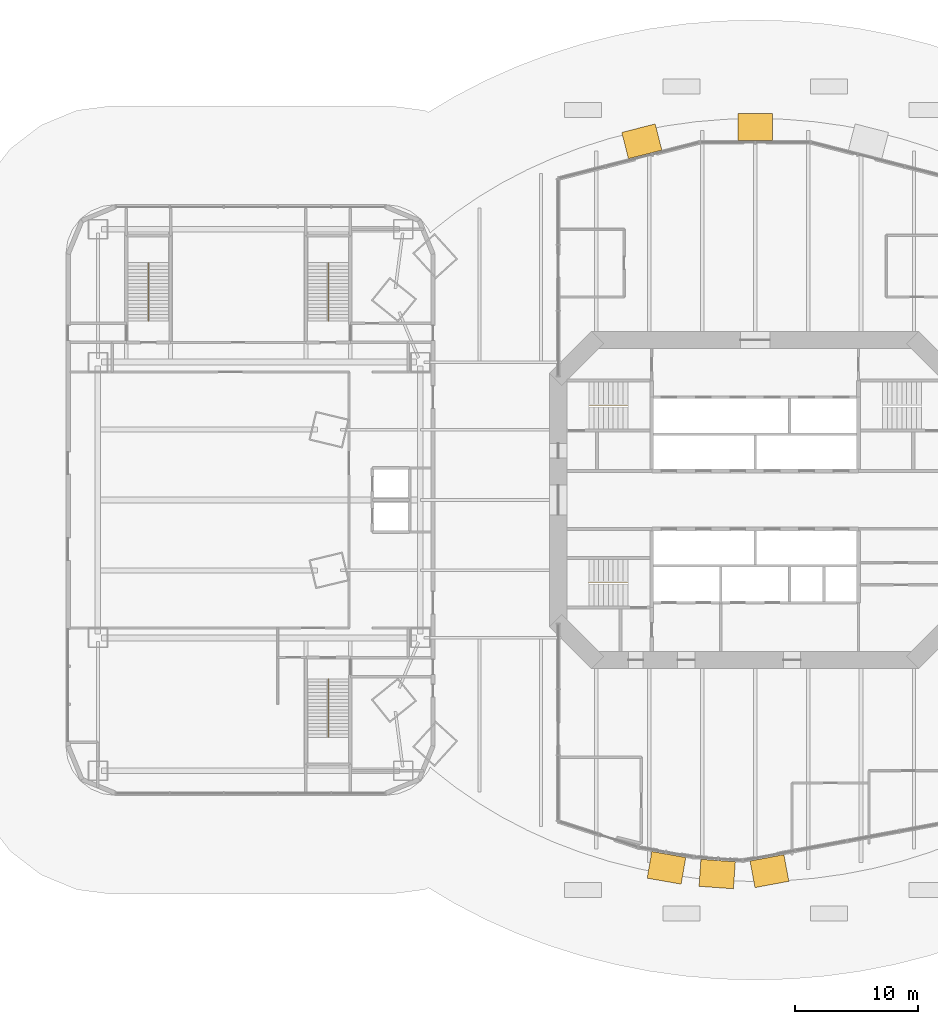
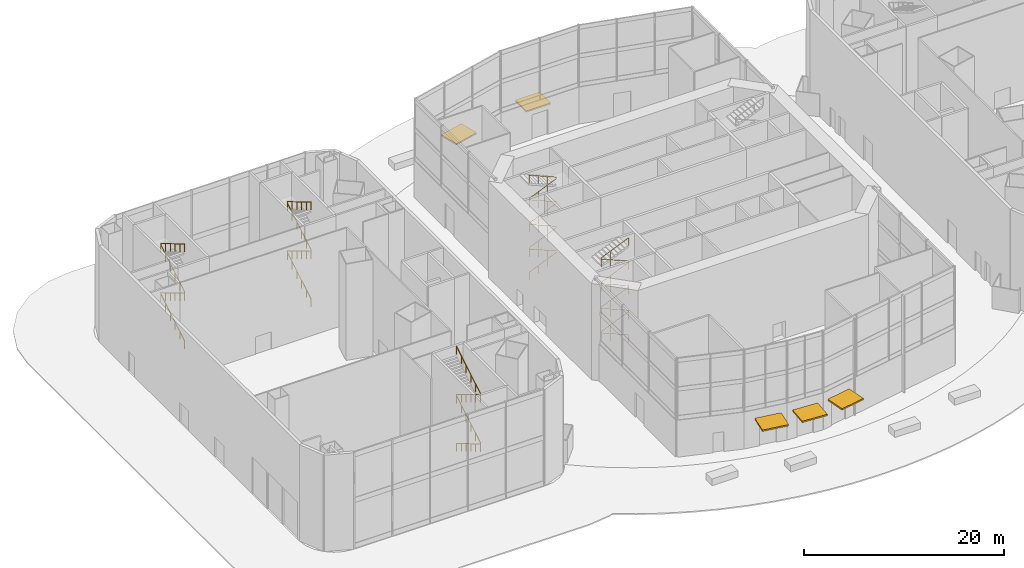
# One storey, part 21 of 23: 5 railings, 5 shading devices.
"""IFC4 building model written with IfcOpenShell, lengths in metres."""

from ifc_helpers import new_model, si_unit, direction, frame, origin, origin_2d, place, context, subcontext, project, spatial, rectangle, circle, extrude, material, layer, layer_set, type_object, element, save


model = new_model("IFC4")

# Units and contexts
model_context = context("Model", 3, precision=1e-05, world=origin(), true_north=direction((0.0, 1.0)))
body_context = subcontext(model_context, "Body", "Model", "MODEL_VIEW")
ifc_project = project(units=[si_unit("LENGTHUNIT", "METRE"), si_unit("AREAUNIT", "SQUARE_METRE"), si_unit("VOLUMEUNIT", "CUBIC_METRE"), si_unit("PLANEANGLEUNIT", "RADIAN"), si_unit("MASSUNIT", "GRAM", prefix="KILO")], contexts=[model_context])

# Site, building, storey
site_placement = place(None, origin())
site = spatial("IfcSite", under=ifc_project, at=site_placement, CompositionType="ELEMENT")
building_placement = place(site_placement, origin())
building = spatial("IfcBuilding", under=site, at=building_placement, Name="Marenthal Gate Tower", CompositionType="ELEMENT")
storey_placement = place(building_placement, origin())
storey = spatial("IfcBuildingStorey", under=building, at=storey_placement, Name="L00", CompositionType="ELEMENT", Elevation=0.0)

# Shading devices
ifc_material_1 = material(Name="Steel and glass canopy", Category="steel")
ifc_layer = layer(ifc_material_1, 0.179931640625)
ifc_layer_set = layer_set([ifc_layer], Name="Entrance canopy")
shading_device_type = type_object("IfcShadingDeviceType", Name="Entrance canopy", PredefinedType="USERDEFINED", material=ifc_layer_set)
for number, where, z_axis, x_axis, name in (
    (1, (-9.20849609375, 29.14599609375, 3.2998046875), (0.0, 0.0, 1.0), (0.968768898542, 0.247965362941, 0.0), "Entrance canopy XD-N-HALL-1"),
    (2, (0.0, 30.31103515625, 3.2998046875), (0.0, 0.0, 1.0), (1.0, 0.0, 0.0), "Entrance canopy XD-N-HALL-2"),
    (3, (-7.204345703125, -29.888671875, 3.2998046875), (0.0, 0.0, 1.0), (0.985101701709, -0.171972780668, 0.0), "Entrance canopy XD-S-HALL-1"),
    (4, (-3.0849609375, -30.3935546875, 3.2998046875), (0.0, 0.0, 1.0), (0.997495161638, -0.070734733401, 0.0), "Entrance canopy XD-S-HALL-2"),
    (5, (1.161865234375, -30.156494140625, 3.2998046875), (0.0, 0.0, 1.0), (0.983046432537, 0.183356787375, 0.0), "Entrance canopy XD-S-HALL-3"),
):
    element("IfcShadingDevice", number, at=place(storey_placement, frame(where, z_axis=z_axis, x_axis=x_axis)), inside=storey, type_object=shading_device_type, Name=name, ObjectType="ENTRANCE CANOPY", PredefinedType="USERDEFINED", context=body_context, shape_type="SweptSolid", body=[
        extrude(rectangle(XDim=2.800048828125, YDim=2.199951171875, at=origin_2d()), origin(), (0.0, 0.0, 1.0), 0.179931640625),
    ])

# Railings
ifc_material_2 = material(Name="Stainless steel", Category="steel")
railing_type = type_object("IfcRailingType", Name="Stair handrail", PredefinedType="HANDRAIL", material=ifc_material_2)
railing_1_placement = place(storey_placement, frame((-13.5, 7.675048828125, 0.166748046875)))
element("IfcRailing", 6, at=railing_1_placement, inside=storey, type_object=railing_type, Name="Handrail ST1", PredefinedType="HANDRAIL", context=body_context, shape_type="SweptSolid", body=[
    extrude(circle(Radius=0.0224609375, at=origin_2d()), frame((0.0, 0.0, 0.927490234375), z_axis=(0.920893345203, 0.0, 0.389814631281), x_axis=(0.0, 1.0, 0.0)), (0.0, 0.0, 1.0), 3.420166015625),
    extrude(circle(Radius=0.0224609375, at=origin_2d()), frame((3.149658203125, 0.0, 2.2607421875), z_axis=(0.0, 0.0, 1.0), x_axis=(1.0, 0.0, 0.0)), (0.0, 0.0, 1.0), 0.166748046875),
    extrude(circle(Radius=0.0224609375, at=origin_2d()), frame((3.149658203125, 0.0, 2.427490234375), z_axis=(-0.920893345203, 0.0, 0.389814631281), x_axis=(0.0, -1.0, 0.0)), (0.0, 0.0, 1.0), 3.420166015625),
    extrude(circle(Radius=0.0224609375, at=origin_2d()), frame((0.0, 0.0, 3.7607421875), z_axis=(0.0, 0.0, 1.0), x_axis=(1.0, 0.0, 0.0)), (0.0, 0.0, 1.0), 0.166748046875),
    extrude(circle(Radius=0.0224609375, at=origin_2d()), frame((0.0, 0.0, 3.927490234375), z_axis=(0.920893345203, 0.0, 0.389814631281), x_axis=(0.0, 1.0, 0.0)), (0.0, 0.0, 1.0), 3.420166015625),
    extrude(circle(Radius=0.0224609375, at=origin_2d()), frame((3.149658203125, 0.0, 5.2607421875), z_axis=(0.0, 0.0, 1.0), x_axis=(1.0, 0.0, 0.0)), (0.0, 0.0, 1.0), 0.166748046875),
    extrude(circle(Radius=0.0224609375, at=origin_2d()), frame((3.149658203125, 0.0, 5.427490234375), z_axis=(-0.920893345203, 0.0, 0.389814631281), x_axis=(0.0, -1.0, 0.0)), (0.0, 0.0, 1.0), 3.420166015625),
    extrude(circle(Radius=0.0224609375, at=origin_2d()), frame((0.0, 0.0, 6.7607421875), z_axis=(0.0, 0.0, 1.0), x_axis=(1.0, 0.0, 0.0)), (0.0, 0.0, 1.0), 0.166748046875),
    extrude(circle(Radius=0.0224609375, at=origin_2d()), frame((0.0, 0.0, 6.927490234375), z_axis=(0.920893345203, 0.0, 0.389814631281), x_axis=(0.0, 1.0, 0.0)), (0.0, 0.0, 1.0), 3.420166015625),
    extrude(circle(Radius=0.0224609375, at=origin_2d()), frame((3.149658203125, 0.0, 8.2607421875), z_axis=(0.0, 0.0, 1.0), x_axis=(1.0, 0.0, 0.0)), (0.0, 0.0, 1.0), 0.166748046875),
    extrude(circle(Radius=0.0224609375, at=origin_2d()), frame((3.149658203125, 0.0, 8.427490234375), z_axis=(-0.920893345203, 0.0, 0.389814631281), x_axis=(0.0, -1.0, 0.0)), (0.0, 0.0, 1.0), 3.420166015625),
    extrude(circle(Radius=0.0224609375, at=origin_2d()), frame((0.0, 0.0, 9.7607421875), z_axis=(0.0, 0.0, 1.0), x_axis=(1.0, 0.0, 0.0)), (0.0, 0.0, 1.0), 0.166748046875),
    extrude(circle(Radius=0.0224609375, at=origin_2d()), frame((0.0, 0.0, 9.927490234375), z_axis=(0.920893345203, 0.0, 0.389814631281), x_axis=(0.0, 1.0, 0.0)), (0.0, 0.0, 1.0), 3.420166015625),
    extrude(circle(Radius=0.0224609375, at=origin_2d()), frame((3.149658203125, 0.0, 11.2607421875), z_axis=(0.0, 0.0, 1.0), x_axis=(1.0, 0.0, 0.0)), (0.0, 0.0, 1.0), 0.166748046875),
    extrude(circle(Radius=0.0224609375, at=origin_2d()), frame((3.149658203125, 0.0, 11.427490234375), z_axis=(-0.920893345203, 0.0, 0.389814631281), x_axis=(0.0, -1.0, 0.0)), (0.0, 0.0, 1.0), 3.420166015625),
    extrude(circle(Radius=0.02001953125, at=origin_2d()), origin(), (0.0, 0.0, 1.0), 0.905029296875),
    extrude(circle(Radius=0.02001953125, at=origin_2d()), frame((1.0498046875, 0.0, 0.4443359375)), (0.0, 0.0, 1.0), 0.905029296875),
    extrude(circle(Radius=0.02001953125, at=origin_2d()), frame((2.099853515625, 0.0, 0.888916015625)), (0.0, 0.0, 1.0), 0.905029296875),
    extrude(circle(Radius=0.02001953125, at=origin_2d()), frame((3.149658203125, 0.0, 1.333251953125)), (0.0, 0.0, 1.0), 0.905029296875),
    extrude(circle(Radius=0.02001953125, at=origin_2d()), frame((3.149658203125, 0.0, 1.5)), (0.0, 0.0, 1.0), 0.905029296875),
    extrude(circle(Radius=0.02001953125, at=origin_2d()), frame((2.099853515625, 0.0, 1.9443359375)), (0.0, 0.0, 1.0), 0.905029296875),
    extrude(circle(Radius=0.02001953125, at=origin_2d()), frame((1.0498046875, 0.0, 2.388916015625)), (0.0, 0.0, 1.0), 0.905029296875),
    extrude(circle(Radius=0.02001953125, at=origin_2d()), frame((0.0, 0.0, 2.833251953125)), (0.0, 0.0, 1.0), 0.905029296875),
    extrude(circle(Radius=0.02001953125, at=origin_2d()), frame((0.0, 0.0, 3.0)), (0.0, 0.0, 1.0), 0.905029296875),
    extrude(circle(Radius=0.02001953125, at=origin_2d()), frame((1.0498046875, 0.0, 3.4443359375)), (0.0, 0.0, 1.0), 0.905029296875),
    extrude(circle(Radius=0.02001953125, at=origin_2d()), frame((2.099853515625, 0.0, 3.888916015625)), (0.0, 0.0, 1.0), 0.905029296875),
    extrude(circle(Radius=0.02001953125, at=origin_2d()), frame((3.149658203125, 0.0, 4.333251953125)), (0.0, 0.0, 1.0), 0.905029296875),
    extrude(circle(Radius=0.02001953125, at=origin_2d()), frame((3.149658203125, 0.0, 4.5)), (0.0, 0.0, 1.0), 0.905029296875),
    extrude(circle(Radius=0.02001953125, at=origin_2d()), frame((2.099853515625, 0.0, 4.9443359375)), (0.0, 0.0, 1.0), 0.905029296875),
    extrude(circle(Radius=0.02001953125, at=origin_2d()), frame((1.0498046875, 0.0, 5.388916015625)), (0.0, 0.0, 1.0), 0.905029296875),
    extrude(circle(Radius=0.02001953125, at=origin_2d()), frame((0.0, 0.0, 5.833251953125)), (0.0, 0.0, 1.0), 0.905029296875),
    extrude(circle(Radius=0.02001953125, at=origin_2d()), frame((0.0, 0.0, 6.0)), (0.0, 0.0, 1.0), 0.905029296875),
    extrude(circle(Radius=0.02001953125, at=origin_2d()), frame((1.0498046875, 0.0, 6.4443359375)), (0.0, 0.0, 1.0), 0.905029296875),
    extrude(circle(Radius=0.02001953125, at=origin_2d()), frame((2.099853515625, 0.0, 6.888916015625)), (0.0, 0.0, 1.0), 0.905029296875),
    extrude(circle(Radius=0.02001953125, at=origin_2d()), frame((3.149658203125, 0.0, 7.333251953125)), (0.0, 0.0, 1.0), 0.905029296875),
    extrude(circle(Radius=0.02001953125, at=origin_2d()), frame((3.149658203125, 0.0, 7.5)), (0.0, 0.0, 1.0), 0.905029296875),
    extrude(circle(Radius=0.02001953125, at=origin_2d()), frame((2.099853515625, 0.0, 7.9443359375)), (0.0, 0.0, 1.0), 0.905029296875),
    extrude(circle(Radius=0.02001953125, at=origin_2d()), frame((1.0498046875, 0.0, 8.388916015625)), (0.0, 0.0, 1.0), 0.905029296875),
    extrude(circle(Radius=0.02001953125, at=origin_2d()), frame((0.0, 0.0, 8.833251953125)), (0.0, 0.0, 1.0), 0.905029296875),
    extrude(circle(Radius=0.02001953125, at=origin_2d()), frame((0.0, 0.0, 9.0)), (0.0, 0.0, 1.0), 0.905029296875),
    extrude(circle(Radius=0.02001953125, at=origin_2d()), frame((1.0498046875, 0.0, 9.4443359375)), (0.0, 0.0, 1.0), 0.905029296875),
    extrude(circle(Radius=0.02001953125, at=origin_2d()), frame((2.099853515625, 0.0, 9.888916015625)), (0.0, 0.0, 1.0), 0.905029296875),
    extrude(circle(Radius=0.02001953125, at=origin_2d()), frame((3.149658203125, 0.0, 10.333251953125)), (0.0, 0.0, 1.0), 0.905029296875),
    extrude(circle(Radius=0.02001953125, at=origin_2d()), frame((3.149658203125, 0.0, 10.5)), (0.0, 0.0, 1.0), 0.905029296875),
    extrude(circle(Radius=0.02001953125, at=origin_2d()), frame((2.099853515625, 0.0, 10.9443359375)), (0.0, 0.0, 1.0), 0.905029296875),
    extrude(circle(Radius=0.02001953125, at=origin_2d()), frame((1.0498046875, 0.0, 11.388916015625)), (0.0, 0.0, 1.0), 0.905029296875),
    extrude(circle(Radius=0.02001953125, at=origin_2d()), frame((0.0, 0.0, 11.833251953125)), (0.0, 0.0, 1.0), 0.905029296875),
])
railing_2_placement = place(storey_placement, frame((-10.35009765625, -6.72509765625, 0.166748046875)))
element("IfcRailing", 7, at=railing_2_placement, inside=storey, type_object=railing_type, Name="Handrail ST2", PredefinedType="HANDRAIL", context=body_context, shape_type="SweptSolid", body=[
    extrude(circle(Radius=0.0224609375, at=origin_2d()), frame((0.0, 0.0, 0.927490234375), z_axis=(-0.920882497319, 0.0, 0.389840257198), x_axis=(0.0, -1.0, 0.0)), (0.0, 0.0, 1.0), 3.419921875),
    extrude(circle(Radius=0.0224609375, at=origin_2d()), frame((-3.1494140625, 0.0, 2.2607421875), z_axis=(0.0, 0.0, 1.0), x_axis=(1.0, 0.0, 0.0)), (0.0, 0.0, 1.0), 0.166748046875),
    extrude(circle(Radius=0.0224609375, at=origin_2d()), frame((-3.1494140625, 0.0, 2.427490234375), z_axis=(0.920882497319, 0.0, 0.389840257198), x_axis=(0.0, 1.0, 0.0)), (0.0, 0.0, 1.0), 3.419921875),
    extrude(circle(Radius=0.0224609375, at=origin_2d()), frame((0.0, 0.0, 3.7607421875), z_axis=(0.0, 0.0, 1.0), x_axis=(1.0, 0.0, 0.0)), (0.0, 0.0, 1.0), 0.166748046875),
    extrude(circle(Radius=0.0224609375, at=origin_2d()), frame((0.0, 0.0, 3.927490234375), z_axis=(-0.920882497319, 0.0, 0.389840257198), x_axis=(0.0, -1.0, 0.0)), (0.0, 0.0, 1.0), 3.419921875),
    extrude(circle(Radius=0.0224609375, at=origin_2d()), frame((-3.1494140625, 0.0, 5.2607421875), z_axis=(0.0, 0.0, 1.0), x_axis=(1.0, 0.0, 0.0)), (0.0, 0.0, 1.0), 0.166748046875),
    extrude(circle(Radius=0.0224609375, at=origin_2d()), frame((-3.1494140625, 0.0, 5.427490234375), z_axis=(0.920882497319, 0.0, 0.389840257198), x_axis=(0.0, 1.0, 0.0)), (0.0, 0.0, 1.0), 3.419921875),
    extrude(circle(Radius=0.0224609375, at=origin_2d()), frame((0.0, 0.0, 6.7607421875), z_axis=(0.0, 0.0, 1.0), x_axis=(1.0, 0.0, 0.0)), (0.0, 0.0, 1.0), 0.166748046875),
    extrude(circle(Radius=0.0224609375, at=origin_2d()), frame((0.0, 0.0, 6.927490234375), z_axis=(-0.920882497319, 0.0, 0.389840257198), x_axis=(0.0, -1.0, 0.0)), (0.0, 0.0, 1.0), 3.419921875),
    extrude(circle(Radius=0.0224609375, at=origin_2d()), frame((-3.1494140625, 0.0, 8.2607421875), z_axis=(0.0, 0.0, 1.0), x_axis=(1.0, 0.0, 0.0)), (0.0, 0.0, 1.0), 0.166748046875),
    extrude(circle(Radius=0.0224609375, at=origin_2d()), frame((-3.1494140625, 0.0, 8.427490234375), z_axis=(0.920882497319, 0.0, 0.389840257198), x_axis=(0.0, 1.0, 0.0)), (0.0, 0.0, 1.0), 3.419921875),
    extrude(circle(Radius=0.0224609375, at=origin_2d()), frame((0.0, 0.0, 9.7607421875), z_axis=(0.0, 0.0, 1.0), x_axis=(1.0, 0.0, 0.0)), (0.0, 0.0, 1.0), 0.166748046875),
    extrude(circle(Radius=0.0224609375, at=origin_2d()), frame((0.0, 0.0, 9.927490234375), z_axis=(-0.920882497319, 0.0, 0.389840257198), x_axis=(0.0, -1.0, 0.0)), (0.0, 0.0, 1.0), 3.419921875),
    extrude(circle(Radius=0.0224609375, at=origin_2d()), frame((-3.1494140625, 0.0, 11.2607421875), z_axis=(0.0, 0.0, 1.0), x_axis=(1.0, 0.0, 0.0)), (0.0, 0.0, 1.0), 0.166748046875),
    extrude(circle(Radius=0.0224609375, at=origin_2d()), frame((-3.1494140625, 0.0, 11.427490234375), z_axis=(0.920882497319, 0.0, 0.389840257198), x_axis=(0.0, 1.0, 0.0)), (0.0, 0.0, 1.0), 3.419921875),
    extrude(circle(Radius=0.02001953125, at=origin_2d()), origin(), (0.0, 0.0, 1.0), 0.905029296875),
    extrude(circle(Radius=0.02001953125, at=origin_2d()), frame((-1.0498046875, 0.0, 0.4443359375)), (0.0, 0.0, 1.0), 0.905029296875),
    extrude(circle(Radius=0.02001953125, at=origin_2d()), frame((-2.099609375, 0.0, 0.888916015625)), (0.0, 0.0, 1.0), 0.905029296875),
    extrude(circle(Radius=0.02001953125, at=origin_2d()), frame((-3.1494140625, 0.0, 1.333251953125)), (0.0, 0.0, 1.0), 0.905029296875),
    extrude(circle(Radius=0.02001953125, at=origin_2d()), frame((-3.1494140625, 0.0, 1.5)), (0.0, 0.0, 1.0), 0.905029296875),
    extrude(circle(Radius=0.02001953125, at=origin_2d()), frame((-2.099609375, 0.0, 1.9443359375)), (0.0, 0.0, 1.0), 0.905029296875),
    extrude(circle(Radius=0.02001953125, at=origin_2d()), frame((-1.0498046875, 0.0, 2.388916015625)), (0.0, 0.0, 1.0), 0.905029296875),
    extrude(circle(Radius=0.02001953125, at=origin_2d()), frame((0.0, 0.0, 2.833251953125)), (0.0, 0.0, 1.0), 0.905029296875),
    extrude(circle(Radius=0.02001953125, at=origin_2d()), frame((0.0, 0.0, 3.0)), (0.0, 0.0, 1.0), 0.905029296875),
    extrude(circle(Radius=0.02001953125, at=origin_2d()), frame((-1.0498046875, 0.0, 3.4443359375)), (0.0, 0.0, 1.0), 0.905029296875),
    extrude(circle(Radius=0.02001953125, at=origin_2d()), frame((-2.099609375, 0.0, 3.888916015625)), (0.0, 0.0, 1.0), 0.905029296875),
    extrude(circle(Radius=0.02001953125, at=origin_2d()), frame((-3.1494140625, 0.0, 4.333251953125)), (0.0, 0.0, 1.0), 0.905029296875),
    extrude(circle(Radius=0.02001953125, at=origin_2d()), frame((-3.1494140625, 0.0, 4.5)), (0.0, 0.0, 1.0), 0.905029296875),
    extrude(circle(Radius=0.02001953125, at=origin_2d()), frame((-2.099609375, 0.0, 4.9443359375)), (0.0, 0.0, 1.0), 0.905029296875),
    extrude(circle(Radius=0.02001953125, at=origin_2d()), frame((-1.0498046875, 0.0, 5.388916015625)), (0.0, 0.0, 1.0), 0.905029296875),
    extrude(circle(Radius=0.02001953125, at=origin_2d()), frame((0.0, 0.0, 5.833251953125)), (0.0, 0.0, 1.0), 0.905029296875),
    extrude(circle(Radius=0.02001953125, at=origin_2d()), frame((0.0, 0.0, 6.0)), (0.0, 0.0, 1.0), 0.905029296875),
    extrude(circle(Radius=0.02001953125, at=origin_2d()), frame((-1.0498046875, 0.0, 6.4443359375)), (0.0, 0.0, 1.0), 0.905029296875),
    extrude(circle(Radius=0.02001953125, at=origin_2d()), frame((-2.099609375, 0.0, 6.888916015625)), (0.0, 0.0, 1.0), 0.905029296875),
    extrude(circle(Radius=0.02001953125, at=origin_2d()), frame((-3.1494140625, 0.0, 7.333251953125)), (0.0, 0.0, 1.0), 0.905029296875),
    extrude(circle(Radius=0.02001953125, at=origin_2d()), frame((-3.1494140625, 0.0, 7.5)), (0.0, 0.0, 1.0), 0.905029296875),
    extrude(circle(Radius=0.02001953125, at=origin_2d()), frame((-2.099609375, 0.0, 7.9443359375)), (0.0, 0.0, 1.0), 0.905029296875),
    extrude(circle(Radius=0.02001953125, at=origin_2d()), frame((-1.0498046875, 0.0, 8.388916015625)), (0.0, 0.0, 1.0), 0.905029296875),
    extrude(circle(Radius=0.02001953125, at=origin_2d()), frame((0.0, 0.0, 8.833251953125)), (0.0, 0.0, 1.0), 0.905029296875),
    extrude(circle(Radius=0.02001953125, at=origin_2d()), frame((0.0, 0.0, 9.0)), (0.0, 0.0, 1.0), 0.905029296875),
    extrude(circle(Radius=0.02001953125, at=origin_2d()), frame((-1.0498046875, 0.0, 9.4443359375)), (0.0, 0.0, 1.0), 0.905029296875),
    extrude(circle(Radius=0.02001953125, at=origin_2d()), frame((-2.099609375, 0.0, 9.888916015625)), (0.0, 0.0, 1.0), 0.905029296875),
    extrude(circle(Radius=0.02001953125, at=origin_2d()), frame((-3.1494140625, 0.0, 10.333251953125)), (0.0, 0.0, 1.0), 0.905029296875),
    extrude(circle(Radius=0.02001953125, at=origin_2d()), frame((-3.1494140625, 0.0, 10.5)), (0.0, 0.0, 1.0), 0.905029296875),
    extrude(circle(Radius=0.02001953125, at=origin_2d()), frame((-2.099609375, 0.0, 10.9443359375)), (0.0, 0.0, 1.0), 0.905029296875),
    extrude(circle(Radius=0.02001953125, at=origin_2d()), frame((-1.0498046875, 0.0, 11.388916015625)), (0.0, 0.0, 1.0), 0.905029296875),
    extrude(circle(Radius=0.02001953125, at=origin_2d()), frame((0.0, 0.0, 11.833251953125)), (0.0, 0.0, 1.0), 0.905029296875),
])
railing_3_placement = place(storey_placement, frame((-34.699951171875, 14.52490234375, 0.166748046875)))
element("IfcRailing", 8, at=railing_3_placement, inside=storey, type_object=railing_type, Name="Handrail W1", PredefinedType="HANDRAIL", context=body_context, shape_type="SweptSolid", body=[
    extrude(circle(Radius=0.0224609375, at=origin_2d()), frame((0.0, 0.0, 0.927490234375), z_axis=(0.0, 0.859299802514, 0.511472237174), x_axis=(-1.0, 0.0, 0.0)), (0.0, 0.0, 1.0), 5.539306640625),
    extrude(circle(Radius=0.0224609375, at=origin_2d()), frame((0.0, 4.760009765625, 3.7607421875), z_axis=(0.0, 0.0, 1.0), x_axis=(1.0, 0.0, 0.0)), (0.0, 0.0, 1.0), 0.166748046875),
    extrude(circle(Radius=0.0224609375, at=origin_2d()), frame((0.0, 4.760009765625, 3.927490234375), z_axis=(0.0, -0.859299802514, 0.511472237174), x_axis=(1.0, 0.0, 0.0)), (0.0, 0.0, 1.0), 5.539306640625),
    extrude(circle(Radius=0.0224609375, at=origin_2d()), frame((0.0, 0.0, 6.7607421875), z_axis=(0.0, 0.0, 1.0), x_axis=(1.0, 0.0, 0.0)), (0.0, 0.0, 1.0), 0.166748046875),
    extrude(circle(Radius=0.0224609375, at=origin_2d()), frame((0.0, 0.0, 6.927490234375), z_axis=(0.0, 0.859299802514, 0.511472237174), x_axis=(-1.0, 0.0, 0.0)), (0.0, 0.0, 1.0), 5.539306640625),
    extrude(circle(Radius=0.0224609375, at=origin_2d()), frame((0.0, 4.760009765625, 9.7607421875), z_axis=(0.0, 0.0, 1.0), x_axis=(1.0, 0.0, 0.0)), (0.0, 0.0, 1.0), 0.166748046875),
    extrude(circle(Radius=0.0224609375, at=origin_2d()), frame((0.0, 4.760009765625, 9.927490234375), z_axis=(0.0, -0.859299802514, 0.511472237174), x_axis=(1.0, 0.0, 0.0)), (0.0, 0.0, 1.0), 5.539306640625),
    extrude(circle(Radius=0.02001953125, at=origin_2d()), origin(), (0.0, 0.0, 1.0), 0.905029296875),
    extrude(circle(Radius=0.02001953125, at=origin_2d()), frame((0.0, 0.951904296875, 0.566650390625)), (0.0, 0.0, 1.0), 0.905029296875),
    extrude(circle(Radius=0.02001953125, at=origin_2d()), frame((0.0, 1.904052734375, 1.13330078125)), (0.0, 0.0, 1.0), 0.905029296875),
    extrude(circle(Radius=0.02001953125, at=origin_2d()), frame((0.0, 2.85595703125, 1.699951171875)), (0.0, 0.0, 1.0), 0.905029296875),
    extrude(circle(Radius=0.02001953125, at=origin_2d()), frame((0.0, 3.80810546875, 2.2666015625)), (0.0, 0.0, 1.0), 0.905029296875),
    extrude(circle(Radius=0.02001953125, at=origin_2d()), frame((0.0, 4.760009765625, 2.833251953125)), (0.0, 0.0, 1.0), 0.905029296875),
    extrude(circle(Radius=0.02001953125, at=origin_2d()), frame((0.0, 4.760009765625, 3.0)), (0.0, 0.0, 1.0), 0.905029296875),
    extrude(circle(Radius=0.02001953125, at=origin_2d()), frame((0.0, 3.80810546875, 3.566650390625)), (0.0, 0.0, 1.0), 0.905029296875),
    extrude(circle(Radius=0.02001953125, at=origin_2d()), frame((0.0, 2.85595703125, 4.13330078125)), (0.0, 0.0, 1.0), 0.905029296875),
    extrude(circle(Radius=0.02001953125, at=origin_2d()), frame((0.0, 1.904052734375, 4.699951171875)), (0.0, 0.0, 1.0), 0.905029296875),
    extrude(circle(Radius=0.02001953125, at=origin_2d()), frame((0.0, 0.951904296875, 5.2666015625)), (0.0, 0.0, 1.0), 0.905029296875),
    extrude(circle(Radius=0.02001953125, at=origin_2d()), frame((0.0, 0.0, 5.833251953125)), (0.0, 0.0, 1.0), 0.905029296875),
    extrude(circle(Radius=0.02001953125, at=origin_2d()), frame((0.0, 0.0, 6.0)), (0.0, 0.0, 1.0), 0.905029296875),
    extrude(circle(Radius=0.02001953125, at=origin_2d()), frame((0.0, 0.951904296875, 6.566650390625)), (0.0, 0.0, 1.0), 0.905029296875),
    extrude(circle(Radius=0.02001953125, at=origin_2d()), frame((0.0, 1.904052734375, 7.13330078125)), (0.0, 0.0, 1.0), 0.905029296875),
    extrude(circle(Radius=0.02001953125, at=origin_2d()), frame((0.0, 2.85595703125, 7.699951171875)), (0.0, 0.0, 1.0), 0.905029296875),
    extrude(circle(Radius=0.02001953125, at=origin_2d()), frame((0.0, 3.80810546875, 8.2666015625)), (0.0, 0.0, 1.0), 0.905029296875),
    extrude(circle(Radius=0.02001953125, at=origin_2d()), frame((0.0, 4.760009765625, 8.833251953125)), (0.0, 0.0, 1.0), 0.905029296875),
    extrude(circle(Radius=0.02001953125, at=origin_2d()), frame((0.0, 4.760009765625, 9.0)), (0.0, 0.0, 1.0), 0.905029296875),
    extrude(circle(Radius=0.02001953125, at=origin_2d()), frame((0.0, 3.80810546875, 9.566650390625)), (0.0, 0.0, 1.0), 0.905029296875),
    extrude(circle(Radius=0.02001953125, at=origin_2d()), frame((0.0, 2.85595703125, 10.13330078125)), (0.0, 0.0, 1.0), 0.905029296875),
    extrude(circle(Radius=0.02001953125, at=origin_2d()), frame((0.0, 1.904052734375, 10.699951171875)), (0.0, 0.0, 1.0), 0.905029296875),
    extrude(circle(Radius=0.02001953125, at=origin_2d()), frame((0.0, 0.951904296875, 11.2666015625)), (0.0, 0.0, 1.0), 0.905029296875),
    extrude(circle(Radius=0.02001953125, at=origin_2d()), frame((0.0, 0.0, 11.833251953125)), (0.0, 0.0, 1.0), 0.905029296875),
])
railing_4_placement = place(storey_placement, frame((-34.699951171875, -14.52490234375, 0.166748046875)))
element("IfcRailing", 9, at=railing_4_placement, inside=storey, type_object=railing_type, Name="Handrail W2", PredefinedType="HANDRAIL", context=body_context, shape_type="SweptSolid", body=[
    extrude(circle(Radius=0.0224609375, at=origin_2d()), frame((0.0, 0.0, 0.927490234375), z_axis=(0.0, -0.859299802514, 0.511472237174), x_axis=(1.0, 0.0, 0.0)), (0.0, 0.0, 1.0), 5.539306640625),
    extrude(circle(Radius=0.0224609375, at=origin_2d()), frame((0.0, -4.760009765625, 3.7607421875), z_axis=(0.0, 0.0, 1.0), x_axis=(1.0, 0.0, 0.0)), (0.0, 0.0, 1.0), 0.166748046875),
    extrude(circle(Radius=0.0224609375, at=origin_2d()), frame((0.0, -4.760009765625, 3.927490234375), z_axis=(0.0, 0.859299802514, 0.511472237174), x_axis=(-1.0, 0.0, 0.0)), (0.0, 0.0, 1.0), 5.539306640625),
    extrude(circle(Radius=0.0224609375, at=origin_2d()), frame((0.0, 0.0, 6.7607421875), z_axis=(0.0, 0.0, 1.0), x_axis=(1.0, 0.0, 0.0)), (0.0, 0.0, 1.0), 0.166748046875),
    extrude(circle(Radius=0.0224609375, at=origin_2d()), frame((0.0, 0.0, 6.927490234375), z_axis=(0.0, -0.859299802514, 0.511472237174), x_axis=(1.0, 0.0, 0.0)), (0.0, 0.0, 1.0), 5.539306640625),
    extrude(circle(Radius=0.0224609375, at=origin_2d()), frame((0.0, -4.760009765625, 9.7607421875), z_axis=(0.0, 0.0, 1.0), x_axis=(1.0, 0.0, 0.0)), (0.0, 0.0, 1.0), 0.166748046875),
    extrude(circle(Radius=0.0224609375, at=origin_2d()), frame((0.0, -4.760009765625, 9.927490234375), z_axis=(0.0, 0.859299802514, 0.511472237174), x_axis=(-1.0, 0.0, 0.0)), (0.0, 0.0, 1.0), 5.539306640625),
    extrude(circle(Radius=0.02001953125, at=origin_2d()), origin(), (0.0, 0.0, 1.0), 0.905029296875),
    extrude(circle(Radius=0.02001953125, at=origin_2d()), frame((0.0, -0.951904296875, 0.566650390625)), (0.0, 0.0, 1.0), 0.905029296875),
    extrude(circle(Radius=0.02001953125, at=origin_2d()), frame((0.0, -1.904052734375, 1.13330078125)), (0.0, 0.0, 1.0), 0.905029296875),
    extrude(circle(Radius=0.02001953125, at=origin_2d()), frame((0.0, -2.85595703125, 1.699951171875)), (0.0, 0.0, 1.0), 0.905029296875),
    extrude(circle(Radius=0.02001953125, at=origin_2d()), frame((0.0, -3.80810546875, 2.2666015625)), (0.0, 0.0, 1.0), 0.905029296875),
    extrude(circle(Radius=0.02001953125, at=origin_2d()), frame((0.0, -4.760009765625, 2.833251953125)), (0.0, 0.0, 1.0), 0.905029296875),
    extrude(circle(Radius=0.02001953125, at=origin_2d()), frame((0.0, -4.760009765625, 3.0)), (0.0, 0.0, 1.0), 0.905029296875),
    extrude(circle(Radius=0.02001953125, at=origin_2d()), frame((0.0, -3.80810546875, 3.566650390625)), (0.0, 0.0, 1.0), 0.905029296875),
    extrude(circle(Radius=0.02001953125, at=origin_2d()), frame((0.0, -2.85595703125, 4.13330078125)), (0.0, 0.0, 1.0), 0.905029296875),
    extrude(circle(Radius=0.02001953125, at=origin_2d()), frame((0.0, -1.904052734375, 4.699951171875)), (0.0, 0.0, 1.0), 0.905029296875),
    extrude(circle(Radius=0.02001953125, at=origin_2d()), frame((0.0, -0.951904296875, 5.2666015625)), (0.0, 0.0, 1.0), 0.905029296875),
    extrude(circle(Radius=0.02001953125, at=origin_2d()), frame((0.0, 0.0, 5.833251953125)), (0.0, 0.0, 1.0), 0.905029296875),
    extrude(circle(Radius=0.02001953125, at=origin_2d()), frame((0.0, 0.0, 6.0)), (0.0, 0.0, 1.0), 0.905029296875),
    extrude(circle(Radius=0.02001953125, at=origin_2d()), frame((0.0, -0.951904296875, 6.566650390625)), (0.0, 0.0, 1.0), 0.905029296875),
    extrude(circle(Radius=0.02001953125, at=origin_2d()), frame((0.0, -1.904052734375, 7.13330078125)), (0.0, 0.0, 1.0), 0.905029296875),
    extrude(circle(Radius=0.02001953125, at=origin_2d()), frame((0.0, -2.85595703125, 7.699951171875)), (0.0, 0.0, 1.0), 0.905029296875),
    extrude(circle(Radius=0.02001953125, at=origin_2d()), frame((0.0, -3.80810546875, 8.2666015625)), (0.0, 0.0, 1.0), 0.905029296875),
    extrude(circle(Radius=0.02001953125, at=origin_2d()), frame((0.0, -4.760009765625, 8.833251953125)), (0.0, 0.0, 1.0), 0.905029296875),
    extrude(circle(Radius=0.02001953125, at=origin_2d()), frame((0.0, -4.760009765625, 9.0)), (0.0, 0.0, 1.0), 0.905029296875),
    extrude(circle(Radius=0.02001953125, at=origin_2d()), frame((0.0, -3.80810546875, 9.566650390625)), (0.0, 0.0, 1.0), 0.905029296875),
    extrude(circle(Radius=0.02001953125, at=origin_2d()), frame((0.0, -2.85595703125, 10.13330078125)), (0.0, 0.0, 1.0), 0.905029296875),
    extrude(circle(Radius=0.02001953125, at=origin_2d()), frame((0.0, -1.904052734375, 10.699951171875)), (0.0, 0.0, 1.0), 0.905029296875),
    extrude(circle(Radius=0.02001953125, at=origin_2d()), frame((0.0, -0.951904296875, 11.2666015625)), (0.0, 0.0, 1.0), 0.905029296875),
    extrude(circle(Radius=0.02001953125, at=origin_2d()), frame((0.0, 0.0, 11.833251953125)), (0.0, 0.0, 1.0), 0.905029296875),
])
railing_5_placement = place(storey_placement, frame((-49.300048828125, 14.52490234375, 0.166748046875)))
element("IfcRailing", 10, at=railing_5_placement, inside=storey, type_object=railing_type, Name="Handrail W3", PredefinedType="HANDRAIL", context=body_context, shape_type="SweptSolid", body=[
    extrude(circle(Radius=0.0224609375, at=origin_2d()), frame((0.0, 0.0, 0.927490234375), z_axis=(0.0, 0.859299802514, 0.511472237174), x_axis=(-1.0, 0.0, 0.0)), (0.0, 0.0, 1.0), 5.539306640625),
    extrude(circle(Radius=0.0224609375, at=origin_2d()), frame((0.0, 4.760009765625, 3.7607421875), z_axis=(0.0, 0.0, 1.0), x_axis=(1.0, 0.0, 0.0)), (0.0, 0.0, 1.0), 0.166748046875),
    extrude(circle(Radius=0.0224609375, at=origin_2d()), frame((0.0, 4.760009765625, 3.927490234375), z_axis=(0.0, -0.859299802514, 0.511472237174), x_axis=(1.0, 0.0, 0.0)), (0.0, 0.0, 1.0), 5.539306640625),
    extrude(circle(Radius=0.0224609375, at=origin_2d()), frame((0.0, 0.0, 6.7607421875), z_axis=(0.0, 0.0, 1.0), x_axis=(1.0, 0.0, 0.0)), (0.0, 0.0, 1.0), 0.166748046875),
    extrude(circle(Radius=0.0224609375, at=origin_2d()), frame((0.0, 0.0, 6.927490234375), z_axis=(0.0, 0.859299802514, 0.511472237174), x_axis=(-1.0, 0.0, 0.0)), (0.0, 0.0, 1.0), 5.539306640625),
    extrude(circle(Radius=0.0224609375, at=origin_2d()), frame((0.0, 4.760009765625, 9.7607421875), z_axis=(0.0, 0.0, 1.0), x_axis=(1.0, 0.0, 0.0)), (0.0, 0.0, 1.0), 0.166748046875),
    extrude(circle(Radius=0.0224609375, at=origin_2d()), frame((0.0, 4.760009765625, 9.927490234375), z_axis=(0.0, -0.859299802514, 0.511472237174), x_axis=(1.0, 0.0, 0.0)), (0.0, 0.0, 1.0), 5.539306640625),
    extrude(circle(Radius=0.02001953125, at=origin_2d()), origin(), (0.0, 0.0, 1.0), 0.905029296875),
    extrude(circle(Radius=0.02001953125, at=origin_2d()), frame((0.0, 0.951904296875, 0.566650390625)), (0.0, 0.0, 1.0), 0.905029296875),
    extrude(circle(Radius=0.02001953125, at=origin_2d()), frame((0.0, 1.904052734375, 1.13330078125)), (0.0, 0.0, 1.0), 0.905029296875),
    extrude(circle(Radius=0.02001953125, at=origin_2d()), frame((0.0, 2.85595703125, 1.699951171875)), (0.0, 0.0, 1.0), 0.905029296875),
    extrude(circle(Radius=0.02001953125, at=origin_2d()), frame((0.0, 3.80810546875, 2.2666015625)), (0.0, 0.0, 1.0), 0.905029296875),
    extrude(circle(Radius=0.02001953125, at=origin_2d()), frame((0.0, 4.760009765625, 2.833251953125)), (0.0, 0.0, 1.0), 0.905029296875),
    extrude(circle(Radius=0.02001953125, at=origin_2d()), frame((0.0, 4.760009765625, 3.0)), (0.0, 0.0, 1.0), 0.905029296875),
    extrude(circle(Radius=0.02001953125, at=origin_2d()), frame((0.0, 3.80810546875, 3.566650390625)), (0.0, 0.0, 1.0), 0.905029296875),
    extrude(circle(Radius=0.02001953125, at=origin_2d()), frame((0.0, 2.85595703125, 4.13330078125)), (0.0, 0.0, 1.0), 0.905029296875),
    extrude(circle(Radius=0.02001953125, at=origin_2d()), frame((0.0, 1.904052734375, 4.699951171875)), (0.0, 0.0, 1.0), 0.905029296875),
    extrude(circle(Radius=0.02001953125, at=origin_2d()), frame((0.0, 0.951904296875, 5.2666015625)), (0.0, 0.0, 1.0), 0.905029296875),
    extrude(circle(Radius=0.02001953125, at=origin_2d()), frame((0.0, 0.0, 5.833251953125)), (0.0, 0.0, 1.0), 0.905029296875),
    extrude(circle(Radius=0.02001953125, at=origin_2d()), frame((0.0, 0.0, 6.0)), (0.0, 0.0, 1.0), 0.905029296875),
    extrude(circle(Radius=0.02001953125, at=origin_2d()), frame((0.0, 0.951904296875, 6.566650390625)), (0.0, 0.0, 1.0), 0.905029296875),
    extrude(circle(Radius=0.02001953125, at=origin_2d()), frame((0.0, 1.904052734375, 7.13330078125)), (0.0, 0.0, 1.0), 0.905029296875),
    extrude(circle(Radius=0.02001953125, at=origin_2d()), frame((0.0, 2.85595703125, 7.699951171875)), (0.0, 0.0, 1.0), 0.905029296875),
    extrude(circle(Radius=0.02001953125, at=origin_2d()), frame((0.0, 3.80810546875, 8.2666015625)), (0.0, 0.0, 1.0), 0.905029296875),
    extrude(circle(Radius=0.02001953125, at=origin_2d()), frame((0.0, 4.760009765625, 8.833251953125)), (0.0, 0.0, 1.0), 0.905029296875),
    extrude(circle(Radius=0.02001953125, at=origin_2d()), frame((0.0, 4.760009765625, 9.0)), (0.0, 0.0, 1.0), 0.905029296875),
    extrude(circle(Radius=0.02001953125, at=origin_2d()), frame((0.0, 3.80810546875, 9.566650390625)), (0.0, 0.0, 1.0), 0.905029296875),
    extrude(circle(Radius=0.02001953125, at=origin_2d()), frame((0.0, 2.85595703125, 10.13330078125)), (0.0, 0.0, 1.0), 0.905029296875),
    extrude(circle(Radius=0.02001953125, at=origin_2d()), frame((0.0, 1.904052734375, 10.699951171875)), (0.0, 0.0, 1.0), 0.905029296875),
    extrude(circle(Radius=0.02001953125, at=origin_2d()), frame((0.0, 0.951904296875, 11.2666015625)), (0.0, 0.0, 1.0), 0.905029296875),
    extrude(circle(Radius=0.02001953125, at=origin_2d()), frame((0.0, 0.0, 11.833251953125)), (0.0, 0.0, 1.0), 0.905029296875),
])

save(model, "model.ifc")
